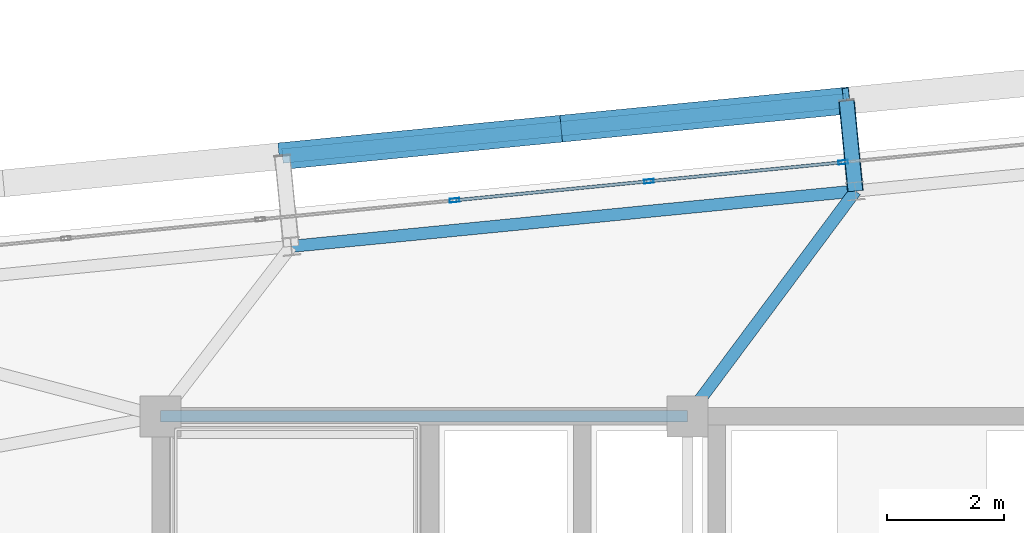
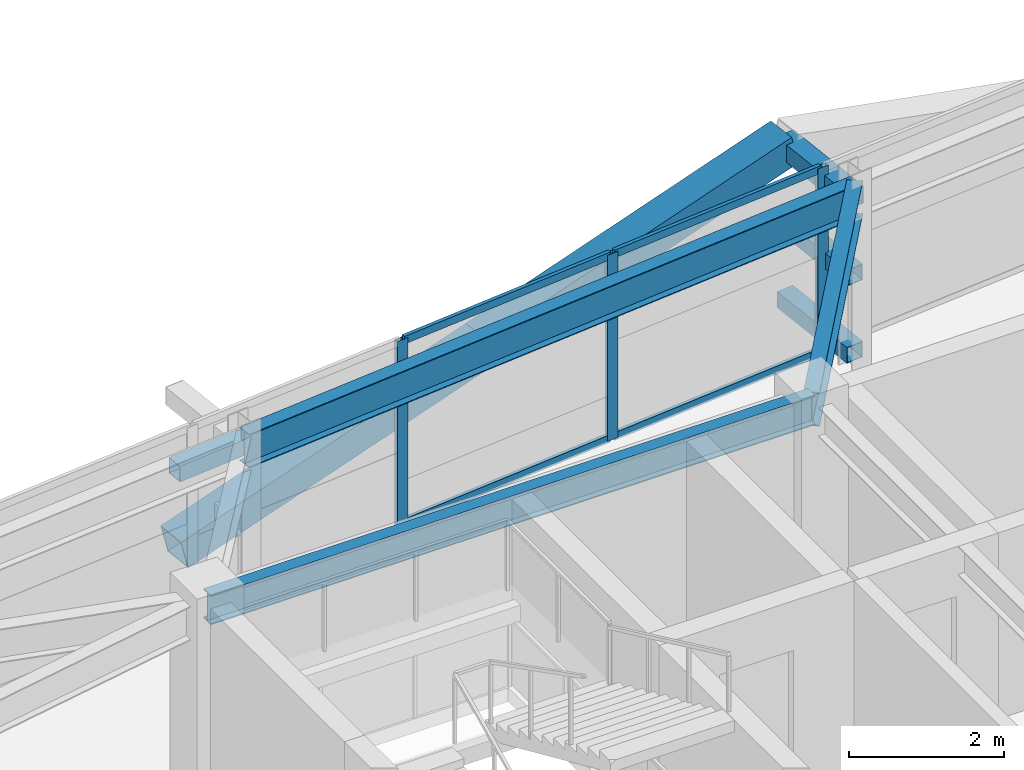
# One storey, part 29 of 53: 13 members, 3 beams, 1 element without a shape of its own.
"""IFC4 building model written with IfcOpenShell, lengths in metres."""

from ifc_helpers import new_model, si_unit, direction, frame, origin, origin_2d, place, context, subcontext, project, spatial, hollow_rectangle, i_section, extrude, source, transform, mapped, material, layer, layer_set, material_profile, profile_set, type_object, element, aggregate, save


model = new_model("IFC4")

# Units and contexts
model_context = context("Model", 3, precision=1e-05, world=origin(), true_north=direction((0.0, 1.0)))
body_context = subcontext(model_context, "Body", "Model", "MODEL_VIEW")
ifc_project = project(units=[si_unit("LENGTHUNIT", "METRE"), si_unit("AREAUNIT", "SQUARE_METRE"), si_unit("VOLUMEUNIT", "CUBIC_METRE"), si_unit("PLANEANGLEUNIT", "RADIAN"), si_unit("MASSUNIT", "GRAM", prefix="KILO")], contexts=[model_context])

# Site, building, storey
site_placement = place(None, origin())
site = spatial("IfcSite", under=ifc_project, at=site_placement, CompositionType="ELEMENT")
building_placement = place(site_placement, origin())
building = spatial("IfcBuilding", under=site, at=building_placement, Name="Taldren Reach Tower", CompositionType="ELEMENT")
storey_placement = place(building_placement, frame((0.0, 0.0, 71.39990234375)))
storey = spatial("IfcBuildingStorey", under=building, at=storey_placement, Name="L21", CompositionType="ELEMENT", Elevation=71.39990234375)

# Beam
ifc_material_1 = material(Name="Steel Gr 350 (350PLUS)", Category="steel")
ifc_material_profile_1 = material_profile(ifc_material_1, i_section(OverallWidth=0.19091796875, OverallDepth=0.4599609375, WebThickness=0.010009765625, FlangeThickness=0.01611328125, at=origin_2d()), Name="460UB82.1")
ifc_profile_set_1 = profile_set([ifc_material_profile_1], Name="Steel Gr 350 (350PLUS)")
beam_type_1 = type_object("IfcBeamType", Name="BM-UB460A", PredefinedType="BEAM", material=ifc_profile_set_1)
shared_shape_1 = source(origin(), body_context, "Body", "SweptSolid", [
    extrude(i_section(OverallWidth=0.19091796875, OverallDepth=0.4599609375, WebThickness=0.010009765625, FlangeThickness=0.01611328125, at=origin_2d()), origin(), (0.0, 0.0, 1.0), 9.0),
])
beam_1_placement = place(storey_placement, frame((19.0, 32.0, 2.7001953125), z_axis=(1.0, 0.0, 0.0), x_axis=(0.0, 1.0, 0.0)))
element("IfcBeam", 1, at=beam_1_placement, inside=storey, type_object=beam_type_1, Name="Core-spine girder L21-SP04", PredefinedType="BEAM", context=body_context, shape_type="MappedRepresentation", body=[
    mapped(shared_shape_1, transform((0.0, 0.0, 0.0), scale=1.0)),
])

# Members
ifc_material_2 = material(Name="Steel Gr 450 (C450L0)", Category="steel")
ifc_material_profile_2 = material_profile(ifc_material_2, hollow_rectangle(XDim=0.27490234375, YDim=0.27490234375, WallThickness=0.00927734375, at=origin_2d()), Name="275x275x9.3SHS")
ifc_profile_set_2 = profile_set([ifc_material_profile_2], Name="Steel Gr 450 (C450L0)")
member_type_1 = type_object("IfcMemberType", Name="MB-TIE273", PredefinedType="STRUT", material=ifc_profile_set_2)
shared_shape_2 = source(origin(), body_context, "Body", "SweptSolid", [
    extrude(hollow_rectangle(XDim=0.27490234375, YDim=0.27490234375, WallThickness=0.00927734375, at=origin_2d()), origin(), (0.0, 0.0, 1.0), 1.5498046875),
])
member_1_placement = place(storey_placement, frame((30.864501953125, 35.84619140625, 2.650146484375), z_axis=(-0.097663201064, 0.995219523099, 0.0), x_axis=(-0.995219523099, -0.097663201064, 0.0)))
element("IfcMember", 2, at=member_1_placement, inside=storey, type_object=member_type_1, Name="Exoskeleton diaphragm tie strut B2-N3 L21", PredefinedType="STRUT", context=body_context, shape_type="MappedRepresentation", body=[
    mapped(shared_shape_2, transform((0.0, 0.0, 0.0), scale=1.0)),
])
ifc_material_3 = material(Name="Steel Gr 350 (C350L0)", Category="steel")
ifc_material_profile_3 = material_profile(ifc_material_3, hollow_rectangle(XDim=0.25, YDim=0.25, WallThickness=0.010009765625, at=origin_2d()), Name="250x250x10.0SHS")
ifc_profile_set_3 = profile_set([ifc_material_profile_3], Name="Steel Gr 350 (C350L0)")
member_type_2 = type_object("IfcMemberType", Name="MB-POST250", PredefinedType="POST", material=ifc_profile_set_3)
shared_shape_3 = source(origin(), body_context, "Body", "SweptSolid", [
    extrude(hollow_rectangle(XDim=0.25, YDim=0.25, WallThickness=0.010009765625, at=origin_2d()), origin(), (0.0, 0.0, 1.0), 1.5498046875),
])
for number, where, z_axis, x_axis, name in (
    (3, (30.864501953125, 35.84619140625, 0.22021484375), (-0.097663201064, 0.995219523099, 0.0), (-0.995219523099, -0.097663201064, 0.0), "Exoskeleton base diaphragm tie strut B2-N3 L21"),
    (4, (30.864501953125, 35.84619140625, 1.43505859375), (-0.097663201064, 0.995219523099, 0.0), (-0.995219523099, -0.097663201064, 0.0), "Exoskeleton mid-tier diaphragm tie B2-N3 L21"),
):
    element("IfcMember", number, at=place(storey_placement, frame(where, z_axis=z_axis, x_axis=x_axis)), inside=storey, type_object=member_type_2, Name=name, PredefinedType="POST", context=body_context, shape_type="MappedRepresentation", body=[
        mapped(shared_shape_3, transform((0.0, 0.0, 0.0), scale=1.0)),
    ])

# Beams
ifc_material_profile_4 = material_profile(ifc_material_1, i_section(OverallWidth=0.208984375, OverallDepth=0.528076171875, WebThickness=0.009521484375, FlangeThickness=0.01318359375, at=origin_2d()), Name="530UB82.0")
ifc_profile_set_4 = profile_set([ifc_material_profile_4], Name="Steel Gr 350 (350PLUS)")
beam_type_2 = type_object("IfcBeamType", Name="SP-UB530B", PredefinedType="SPANDREL", material=ifc_profile_set_4)
shared_shape_4 = source(origin(), body_context, "Body", "SweptSolid", [
    extrude(i_section(OverallWidth=0.208984375, OverallDepth=0.528076171875, WebThickness=0.009521484375, FlangeThickness=0.01318359375, at=origin_2d()), origin(), (0.0, 0.0, 1.0), 9.679931640625),
])
beam_2_placement = place(storey_placement, frame((30.864501953125, 35.84619140625, 2.666015625), z_axis=(-0.995225162995, -0.097605711627, 0.0), x_axis=(0.097605711627, -0.995225162995, 0.0)))
element("IfcBeam", 5, at=beam_2_placement, inside=storey, type_object=beam_type_2, Name="Perimeter spandrel B2 N3-N2 L21", PredefinedType="SPANDREL", context=body_context, shape_type="MappedRepresentation", body=[
    mapped(shared_shape_4, transform((0.0, 0.0, 0.0), scale=1.0)),
])
ifc_material_profile_5 = material_profile(ifc_material_1, i_section(OverallWidth=0.208984375, OverallDepth=0.532958984375, WebThickness=0.01025390625, FlangeThickness=0.015625, at=origin_2d()), Name="530UB92.4")
ifc_profile_set_5 = profile_set([ifc_material_profile_5], Name="Steel Gr 350 (350PLUS)")
beam_type_3 = type_object("IfcBeamType", Name="BM-UB530A", PredefinedType="BEAM", material=ifc_profile_set_5)
shared_shape_5 = source(origin(), body_context, "Body", "SweptSolid", [
    extrude(i_section(OverallWidth=0.208984375, OverallDepth=0.532958984375, WebThickness=0.01025390625, FlangeThickness=0.015625, at=origin_2d()), origin(), (0.0, 0.0, 1.0), 4.795654296875),
])
beam_3_placement = place(storey_placement, frame((28.0, 32.0, 2.66357421875), z_axis=(0.59730864792, 0.802011458223, 0.0), x_axis=(-0.802011458223, 0.59730864792, 0.0)))
element("IfcBeam", 6, at=beam_3_placement, inside=storey, type_object=beam_type_3, Name="Primary floor girder B2-N3 L21", PredefinedType="BEAM", context=body_context, shape_type="MappedRepresentation", body=[
    mapped(shared_shape_5, transform((0.0, 0.0, 0.0), scale=1.0)),
])

# Members
ifc_material_profile_6 = material_profile(ifc_material_2, hollow_rectangle(XDim=0.4599609375, YDim=0.4599609375, WallThickness=0.01611328125, at=origin_2d()), Name="460x460x16.0SHS")
ifc_profile_set_6 = profile_set([ifc_material_profile_6], Name="Steel Gr 450 (C450L0)")
member_type_3 = type_object("IfcMemberType", Name="MB-EXO457", PredefinedType="BRACE", material=ifc_profile_set_6)
shared_shape_6 = source(origin(), body_context, "Body", "SweptSolid", [
    extrude(hollow_rectangle(XDim=0.4599609375, YDim=0.4599609375, WallThickness=0.01611328125, at=origin_2d()), origin(), (0.0, 0.0, 1.0), 4.990234375),
])
for number, where, z_axis, x_axis, name in (
    (7, (21.079345703125, 36.444091796875, 0.22021484375), (0.965282554799, 0.094669120301, 0.243448859234), (-0.097605711627, 0.995225162995, 0.0), "Exoskeleton Diagrid Brace B2-N2 L21"),
    (8, (25.896240234375, 36.91650390625, 1.43505859375), (0.965275526283, 0.094619506732, 0.243496010862), (-0.097555749586, 0.995230061706, 0.0), "Exoskeleton Diagrid Brace B2-N2 L21"),
):
    element("IfcMember", number, at=place(storey_placement, frame(where, z_axis=z_axis, x_axis=x_axis)), inside=storey, type_object=member_type_3, Name=name, PredefinedType="BRACE", context=body_context, shape_type="MappedRepresentation", body=[
        mapped(shared_shape_6, transform((0.0, 0.0, 0.0), scale=1.0)),
    ])
shared_shape_7 = source(origin(), body_context, "Body", "SweptSolid", [
    extrude(hollow_rectangle(XDim=0.25, YDim=0.25, WallThickness=0.010009765625, at=origin_2d()), origin(), (0.0, 0.0, 1.0), 9.679931640625),
])
member_2_placement = place(storey_placement, frame((21.079345703125, 36.444091796875, 1.43505859375), z_axis=(0.995227612658, 0.097580730699, 0.0), x_axis=(-0.097580730699, 0.995227612658, 0.0)))
element("IfcMember", 9, at=member_2_placement, inside=storey, type_object=member_type_2, Name="Exoskeleton mid-height ring chord B2-N2 L21", PredefinedType="POST", context=body_context, shape_type="MappedRepresentation", body=[
    mapped(shared_shape_7, transform((0.0, 0.0, 0.0), scale=1.0)),
])

# Curtain wall, members
ifc_material_4 = material(Name="Aluminium and Low-E Glass Unitised System", Category="aluminium")
ifc_layer = layer(ifc_material_4, 0.159912109375)
ifc_layer_set = layer_set([ifc_layer], Name="Aluminium and Low-E Glass Unitised System")
curtain_wall_type = type_object("IfcCurtainWallType", Name="CW-SYS-3", PredefinedType="NOTDEFINED", material=ifc_layer_set)
curtain_wall_placement = place(storey_placement, origin())
curtain_wall = element("IfcCurtainWall", 10, at=curtain_wall_placement, inside=storey, type_object=curtain_wall_type, Name="Unitised curtain wall CW-L21-N", PredefinedType="NOTDEFINED")
ifc_material_5 = material(Name="Anodised Aluminium 6063-T6", Category="aluminium")
ifc_material_profile_7 = material_profile(ifc_material_5, hollow_rectangle(XDim=0.06494140625, YDim=0.1650390625, WallThickness=0.00390625, at=origin_2d()), Name="ALU-165x65x4RHS")
ifc_profile_set_7 = profile_set([ifc_material_profile_7], Name="Anodised Aluminium 6063-T6")
member_type_4 = type_object("IfcMemberType", Name="CW-MUL-165", PredefinedType="MULLION", material=ifc_profile_set_7)
shared_shape_8 = source(origin(), body_context, "Body", "SweptSolid", [
    extrude(hollow_rectangle(XDim=0.06494140625, YDim=0.1650390625, WallThickness=0.00390625, at=origin_2d()), origin(), (0.0, 0.0, 1.0), 2.93017578125),
])
member_3_placement = place(storey_placement, frame((30.655517578125, 36.338134765625, 0.0), z_axis=(0.0, 0.0, 1.0), x_axis=(0.097582999046, -0.995227390247, 0.0)))
member_3 = element("IfcMember", 11, at=member_3_placement, type_object=member_type_4, Name="CW-3 mullion 10", PredefinedType="MULLION", context=body_context, shape_type="MappedRepresentation", body=[
    mapped(shared_shape_8, transform((0.0, 0.0, 0.0), scale=1.0)),
])
member_4_placement = place(storey_placement, frame((27.337890625, 36.0126953125, 0.0), z_axis=(0.0, 0.0, 1.0), x_axis=(0.097582999046, -0.995227390247, 0.0)))
member_4 = element("IfcMember", 12, at=member_4_placement, type_object=member_type_4, Name="CW-3 mullion 11", PredefinedType="MULLION", context=body_context, shape_type="MappedRepresentation", body=[
    mapped(shared_shape_8, transform((0.0, 0.0, 0.0), scale=1.0)),
])
member_5_placement = place(storey_placement, frame((24.0205078125, 35.6875, 0.0), z_axis=(0.0, 0.0, 1.0), x_axis=(0.097582999046, -0.995227390247, 0.0)))
member_5 = element("IfcMember", 13, at=member_5_placement, type_object=member_type_4, Name="CW-3 mullion 12", PredefinedType="MULLION", context=body_context, shape_type="MappedRepresentation", body=[
    mapped(shared_shape_8, transform((0.0, 0.0, 0.0), scale=1.0)),
])
ifc_material_profile_8 = material_profile(ifc_material_5, hollow_rectangle(XDim=0.054931640625, YDim=0.1201171875, WallThickness=0.0029296875, at=origin_2d()), Name="ALU-120x55x3RHS")
ifc_profile_set_8 = profile_set([ifc_material_profile_8], Name="Anodised Aluminium 6063-T6")
member_type_5 = type_object("IfcMemberType", Name="CW-TRN-135", PredefinedType="USERDEFINED", material=ifc_profile_set_8)
shared_shape_9 = source(origin(), body_context, "Body", "SweptSolid", [
    extrude(hollow_rectangle(XDim=0.054931640625, YDim=0.1201171875, WallThickness=0.0029296875, at=origin_2d()), origin(), (0.0, 0.0, 1.0), 3.268310546875),
])
member_6_placement = place(storey_placement, frame((30.623046875, 36.3349609375, 0.027587890625), z_axis=(-0.995222549564, -0.097632355496, 0.0), x_axis=(0.097632355496, -0.995222549564, 0.0)))
member_6 = element("IfcMember", 14, at=member_6_placement, type_object=member_type_5, Name="CW-3 transom 10.1", ObjectType="TRANSOM", PredefinedType="USERDEFINED", context=body_context, shape_type="MappedRepresentation", body=[
    mapped(shared_shape_9, transform((0.0, 0.0, 0.0), scale=1.0)),
])
member_7_placement = place(storey_placement, frame((30.623046875, 36.3349609375, 2.902587890625), z_axis=(-0.995222549564, -0.097632355496, 0.0), x_axis=(0.097632355496, -0.995222549564, 0.0)))
member_7 = element("IfcMember", 15, at=member_7_placement, type_object=member_type_5, Name="CW-3 transom 10.2", ObjectType="TRANSOM", PredefinedType="USERDEFINED", context=body_context, shape_type="MappedRepresentation", body=[
    mapped(shared_shape_9, transform((0.0, 0.0, 0.0), scale=1.0)),
])
member_8_placement = place(storey_placement, frame((27.3056640625, 36.009521484375, 0.027587890625), z_axis=(-0.99522980512, -0.097558367146, 0.0), x_axis=(0.097558367146, -0.99522980512, 0.0)))
member_8 = element("IfcMember", 16, at=member_8_placement, type_object=member_type_5, Name="CW-3 transom 11.1", ObjectType="TRANSOM", PredefinedType="USERDEFINED", context=body_context, shape_type="MappedRepresentation", body=[
    mapped(shared_shape_9, transform((0.0, 0.0, 0.0), scale=1.0)),
])
member_9_placement = place(storey_placement, frame((27.3056640625, 36.009521484375, 2.902587890625), z_axis=(-0.99522980512, -0.097558367146, 0.0), x_axis=(0.097558367146, -0.99522980512, 0.0)))
member_9 = element("IfcMember", 17, at=member_9_placement, type_object=member_type_5, Name="CW-3 transom 11.2", ObjectType="TRANSOM", PredefinedType="USERDEFINED", context=body_context, shape_type="MappedRepresentation", body=[
    mapped(shared_shape_9, transform((0.0, 0.0, 0.0), scale=1.0)),
])
aggregate(curtain_wall, [member_3, member_4, member_5, member_6, member_7, member_8, member_9])

save(model, "model.ifc")
